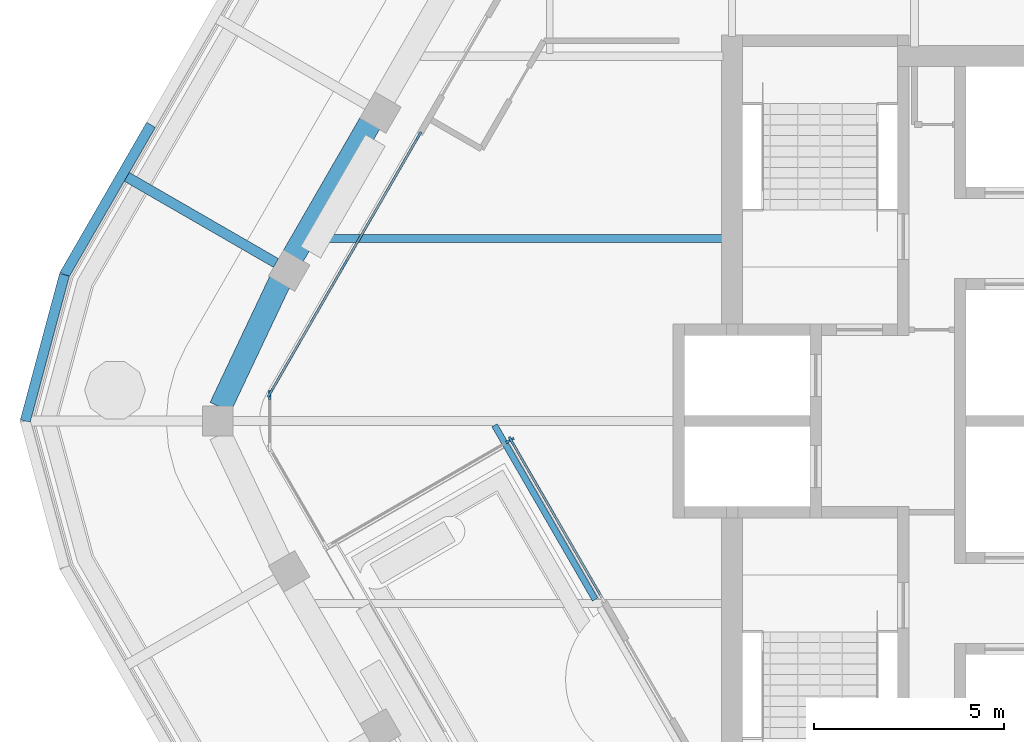
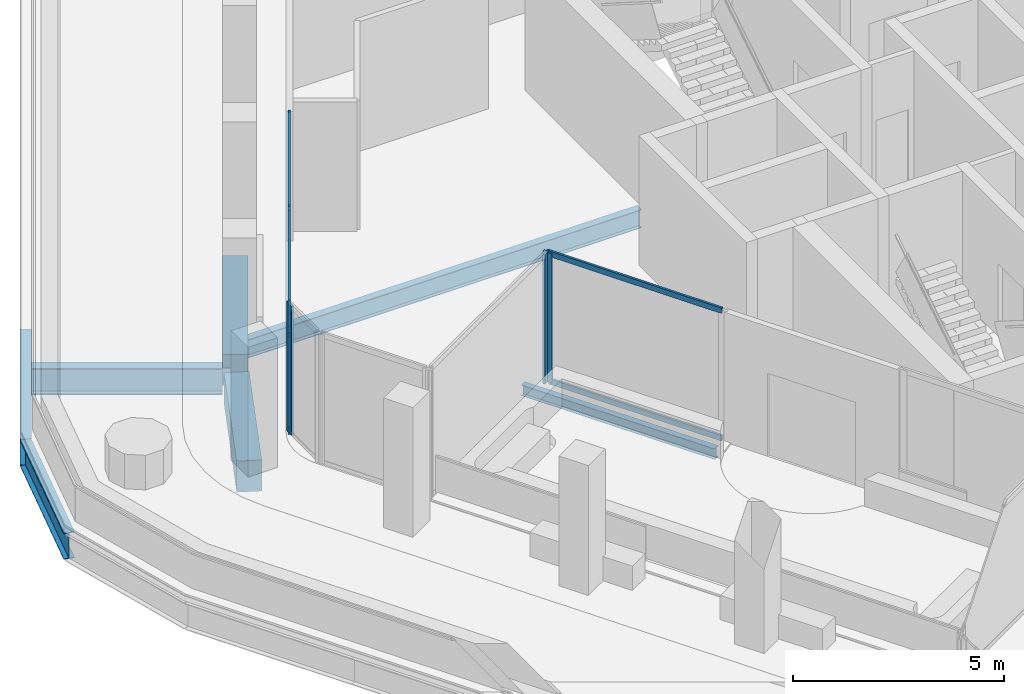
# One storey, part 3 of 15: 12 members, 7 beams, 4 elements without a shape of their own.
"""IFC4 building model written with IfcOpenShell, lengths in metres."""

from ifc_helpers import new_model, si_unit, direction, frame, origin, origin_2d, place, context, subcontext, project, spatial, rectangle, i_section, extrude, material, material_profile, profile_set, type_object, element, aggregate, save


model = new_model("IFC4")

# Units and contexts
model_context = context("Model", 3, precision=1e-05, world=origin(), true_north=direction((0.0, 1.0)))
body_context = subcontext(model_context, "Body", "Model", "MODEL_VIEW")
ifc_project = project(units=[si_unit("LENGTHUNIT", "METRE"), si_unit("AREAUNIT", "SQUARE_METRE"), si_unit("VOLUMEUNIT", "CUBIC_METRE"), si_unit("PLANEANGLEUNIT", "RADIAN"), si_unit("MASSUNIT", "GRAM", prefix="KILO")], contexts=[model_context])

# Site, building, storey
site_placement = place(None, origin())
site = spatial("IfcSite", under=ifc_project, at=site_placement, CompositionType="ELEMENT")
building_placement = place(site_placement, origin())
building = spatial("IfcBuilding", under=site, at=building_placement, Name="Kolab Exchange Tower", CompositionType="ELEMENT")
storey_placement = place(building_placement, frame((0.0, 0.0, 238.39990234375)))
storey = spatial("IfcBuildingStorey", under=building, at=storey_placement, Name="L52", CompositionType="ELEMENT", Elevation=238.39990234375)

# Beams
ifc_material_1 = material(Name="Steel S355", Category="steel")
ifc_material_profile_1 = material_profile(ifc_material_1, i_section(OverallWidth=0.1650390625, OverallDepth=0.31005859375, WebThickness=0.005859375, FlangeThickness=0.009765625, at=origin_2d()), Name="W310X39")
ifc_profile_set_1 = profile_set([ifc_material_profile_1], Name="Steel S355")
beam_type_1 = type_object("IfcBeamType", Name="FLOOR BEAM W310X39", PredefinedType="BEAM", material=ifc_profile_set_1)
beam_1_placement = place(storey_placement, frame((-15.85009765625, -0.114013671875, -0.304931640625), z_axis=(0.499980785011, -0.866036497279, 0.0), x_axis=(0.866036497279, 0.499980785011, 0.0)))
element("IfcBeam", 1, at=beam_1_placement, inside=storey, type_object=beam_type_1, Name="beam/L52/fr/007", PredefinedType="BEAM", context=body_context, shape_type="SweptSolid", body=[
    extrude(i_section(OverallWidth=0.1650390625, OverallDepth=0.31005859375, WebThickness=0.005859375, FlangeThickness=0.009765625, at=origin_2d()), origin(), (0.0, 0.0, 1.0), 5.290283203125),
])
ifc_material_profile_2 = material_profile(ifc_material_1, i_section(OverallWidth=0.208984375, OverallDepth=0.532958984375, WebThickness=0.01025390625, FlangeThickness=0.015625, at=origin_2d()), Name="W530X92")
ifc_profile_set_2 = profile_set([ifc_material_profile_2], Name="Steel S355")
beam_type_2 = type_object("IfcBeamType", Name="FLOOR BEAM W530X92", PredefinedType="BEAM", material=ifc_profile_set_2)
beam_2_placement = place(storey_placement, frame((-20.575927734375, 4.800048828125, -0.41650390625), z_axis=(1.0, 0.0, 0.0), x_axis=(0.0, 1.0, 0.0)))
element("IfcBeam", 2, at=beam_2_placement, inside=storey, type_object=beam_type_2, Name="beam/L52/fr/002", PredefinedType="BEAM", context=body_context, shape_type="SweptSolid", body=[
    extrude(i_section(OverallWidth=0.208984375, OverallDepth=0.532958984375, WebThickness=0.01025390625, FlangeThickness=0.015625, at=origin_2d()), origin(), (0.0, 0.0, 1.0), 10.740966796875),
])
ifc_material_profile_3 = material_profile(ifc_material_1, i_section(OverallWidth=0.26708984375, OverallDepth=0.761962890625, WebThickness=0.014404296875, FlangeThickness=0.021484375, at=origin_2d()), Name="W760X173")
ifc_profile_set_3 = profile_set([ifc_material_profile_3], Name="Steel S355")
beam_type_3 = type_object("IfcBeamType", Name="FLOOR GIRDER W760X173", PredefinedType="BEAM", material=ifc_profile_set_3)
beam_3_placement = place(storey_placement, frame((-21.60009765625, 4.156982421875, -0.5908203125), z_axis=(-0.866030417568, 0.499991315771, 0.0), x_axis=(-0.499991315771, -0.866030417568, 0.0)))
element("IfcBeam", 3, at=beam_3_placement, inside=storey, type_object=beam_type_3, Name="beam/L52/ledge/rib-06", PredefinedType="BEAM", context=body_context, shape_type="SweptSolid", body=[
    extrude(i_section(OverallWidth=0.26708984375, OverallDepth=0.761962890625, WebThickness=0.014404296875, FlangeThickness=0.021484375, at=origin_2d()), origin(), (0.0, 0.0, 1.0), 4.53271484375),
])
beam_4_placement = place(storey_placement, frame((-28.19775390625, 0.0, -0.5908203125), z_axis=(0.258837161991, 0.965920971701, 0.0), x_axis=(-0.965920971701, 0.258837161991, 0.0)))
element("IfcBeam", 4, at=beam_4_placement, inside=storey, type_object=beam_type_3, Name="beam/L52/ledge/edge-07", PredefinedType="BEAM", context=body_context, shape_type="SweptSolid", body=[
    extrude(i_section(OverallWidth=0.26708984375, OverallDepth=0.761962890625, WebThickness=0.014404296875, FlangeThickness=0.021484375, at=origin_2d()), origin(), (0.0, 0.0, 1.0), 3.984130859375),
])
beam_5_placement = place(storey_placement, frame((-27.16650390625, 3.848388671875, -0.5908203125), z_axis=(0.499974680739, 0.866040021373, 0.0), x_axis=(-0.866040021373, 0.499974680739, 0.0)))
element("IfcBeam", 5, at=beam_5_placement, inside=storey, type_object=beam_type_3, Name="beam/L52/ledge/edge-08", PredefinedType="BEAM", context=body_context, shape_type="SweptSolid", body=[
    extrude(i_section(OverallWidth=0.26708984375, OverallDepth=0.761962890625, WebThickness=0.014404296875, FlangeThickness=0.021484375, at=origin_2d()), origin(), (0.0, 0.0, 1.0), 4.552490234375),
])
ifc_material_2 = material(Name="Concrete C50/60", Category="concrete")
ifc_material_profile_4 = material_profile(ifc_material_2, rectangle(XDim=0.60009765625, YDim=0.89990234375, at=origin_2d()), Name="RC600X900")
ifc_profile_set_4 = profile_set([ifc_material_profile_4], Name="Concrete C50/60")
beam_type_4 = type_object("IfcBeamType", Name="SPANDREL BEAM 600X900 C50/60", PredefinedType="BEAM", material=ifc_profile_set_4)
beam_6_placement = place(storey_placement, frame((-23.063720703125, 0.36376953125, -0.599853515625), z_axis=(0.427677251998, 0.903931506323, 0.0), x_axis=(-0.903931506323, 0.427677251998, 0.0)))
element("IfcBeam", 6, at=beam_6_placement, inside=storey, type_object=beam_type_4, Name="beam/L52/sp/F6-01", PredefinedType="BEAM", context=body_context, shape_type="SweptSolid", body=[
    extrude(rectangle(XDim=0.60009765625, YDim=0.89990234375, at=origin_2d()), origin(), (0.0, 0.0, 1.0), 3.6689453125),
])
beam_7_placement = place(storey_placement, frame((-21.16015625, 4.318603515625, -0.599853515625), z_axis=(0.500000428765, 0.866025156237, 0.0), x_axis=(-0.866025156237, 0.500000428765, 0.0)))
element("IfcBeam", 7, at=beam_7_placement, inside=storey, type_object=beam_type_4, Name="beam/L52/sp/F6-02", PredefinedType="BEAM", context=body_context, shape_type="SweptSolid", body=[
    extrude(rectangle(XDim=0.60009765625, YDim=0.89990234375, at=origin_2d()), origin(), (0.0, 0.0, 1.0), 4.080078125),
])

# Curtain wall, member
ifc_material_3 = material(Name="Aluminium EN AW-6063 T6", Category="aluminium")
curtain_wall_type = type_object("IfcCurtainWallType", Name="UNITISED HIGH ZONE CURTAIN WALL", PredefinedType="NOTDEFINED", material=ifc_material_3)
curtain_wall_1_placement = place(storey_placement, origin())
curtain_wall_1 = element("IfcCurtainWall", 8, at=curtain_wall_1_placement, inside=storey, type_object=curtain_wall_type, Name="cw/L52/F5-back-2", PredefinedType="NOTDEFINED")
ifc_material_profile_5 = material_profile(ifc_material_3, rectangle(XDim=0.06005859375, YDim=0.239990234375, at=origin_2d()), Name="RECT 60X240")
ifc_profile_set_5 = profile_set([ifc_material_profile_5], Name="Aluminium EN AW-6063 T6")
member_type_1 = type_object("IfcMemberType", Name="UNITISED HIGH ZONE MULLION 60 X 240", PredefinedType="MULLION", material=ifc_profile_set_5)
member_1_placement = place(storey_placement, frame((-15.406982421875, -0.523681640625, 0.0), z_axis=(0.0, 0.0, 1.0), x_axis=(-0.866025376121, -0.500000047915, 0.0)))
member_1 = element("IfcMember", 9, at=member_1_placement, type_object=member_type_1, Name="CW4 mullion 2", PredefinedType="MULLION", context=body_context, shape_type="SweptSolid", body=[
    extrude(rectangle(XDim=0.06005859375, YDim=0.239990234375, at=origin_2d()), origin(), (0.0, 0.0, 1.0), 3.75),
])

curtain_wall_2_placement = place(storey_placement, origin())
curtain_wall_2 = element("IfcCurtainWall", 10, at=curtain_wall_2_placement, inside=storey, type_object=curtain_wall_type, Name="cw/L52/F5-rr-1", PredefinedType="NOTDEFINED")
member_2_placement = place(storey_placement, frame((-15.447998046875, -0.5126953125, 0.0), z_axis=(0.0, 0.0, 1.0), x_axis=(0.500000020194, -0.866025392126, 0.0)))
member_2 = element("IfcMember", 11, at=member_2_placement, type_object=member_type_1, Name="CW4 mullion 1", PredefinedType="MULLION", context=body_context, shape_type="SweptSolid", body=[
    extrude(rectangle(XDim=0.06005859375, YDim=0.239990234375, at=origin_2d()), origin(), (0.0, 0.0, 1.0), 3.75),
])
aggregate(curtain_wall_2, [member_2])

# Curtain wall, members
curtain_wall_3_placement = place(storey_placement, origin())
curtain_wall_3 = element("IfcCurtainWall", 12, at=curtain_wall_3_placement, inside=storey, type_object=curtain_wall_type, Name="cw/L52/F6-1", PredefinedType="NOTDEFINED")
member_3_placement = place(storey_placement, frame((-21.750732421875, 0.736083984375, 0.0), z_axis=(0.0, 0.0, 1.0), x_axis=(-0.866025440524, 0.499999936366, 0.0)))
member_3 = element("IfcMember", 13, at=member_3_placement, type_object=member_type_1, Name="CW4 mullion 1", PredefinedType="MULLION", context=body_context, shape_type="SweptSolid", body=[
    extrude(rectangle(XDim=0.06005859375, YDim=0.239990234375, at=origin_2d()), origin(), (0.0, 0.0, 1.0), 3.75),
])
member_4_placement = place(storey_placement, frame((-19.798583984375, 4.116943359375, 0.0), z_axis=(0.0, 0.0, 1.0), x_axis=(-0.866025440524, 0.499999936366, 0.0)))
member_4 = element("IfcMember", 14, at=member_4_placement, type_object=member_type_1, Name="CW4 mullion 2", PredefinedType="MULLION", context=body_context, shape_type="SweptSolid", body=[
    extrude(rectangle(XDim=0.06005859375, YDim=0.239990234375, at=origin_2d()), origin(), (0.0, 0.0, 1.0), 3.75),
])
member_5_placement = place(storey_placement, frame((-17.8466796875, 7.497802734375, 0.0), z_axis=(0.0, 0.0, 1.0), x_axis=(-0.866025440524, 0.499999936366, 0.0)))
member_5 = element("IfcMember", 15, at=member_5_placement, type_object=member_type_1, Name="CW4 mullion 3", PredefinedType="MULLION", context=body_context, shape_type="SweptSolid", body=[
    extrude(rectangle(XDim=0.06005859375, YDim=0.239990234375, at=origin_2d()), origin(), (0.0, 0.0, 1.0), 3.75),
])

# Curtain wall, member
curtain_wall_4_placement = place(storey_placement, origin())
curtain_wall_4 = element("IfcCurtainWall", 16, at=curtain_wall_4_placement, inside=storey, type_object=curtain_wall_type, Name="cw/L52/F5F6-corner", PredefinedType="NOTDEFINED")
member_6_placement = place(storey_placement, frame((-21.765625, 0.679931640625, 0.0), z_axis=(0.0, 0.0, 1.0), x_axis=(-1.0, 0.0, 0.0)))
member_6 = element("IfcMember", 17, at=member_6_placement, type_object=member_type_1, Name="CW4 mullion 2", PredefinedType="MULLION", context=body_context, shape_type="SweptSolid", body=[
    extrude(rectangle(XDim=0.06005859375, YDim=0.239990234375, at=origin_2d()), origin(), (0.0, 0.0, 1.0), 3.75),
])
aggregate(curtain_wall_4, [member_6])

# Member
ifc_material_profile_6 = material_profile(ifc_material_3, rectangle(XDim=0.06005859375, YDim=0.159912109375, at=origin_2d()), Name="RECT 60X160")
ifc_profile_set_6 = profile_set([ifc_material_profile_6], Name="Aluminium EN AW-6063 T6")
member_type_2 = type_object("IfcMemberType", Name="UNITISED HIGH ZONE TRANSOM 60 X 160", PredefinedType="USERDEFINED", material=ifc_profile_set_6)
member_7_placement = place(storey_placement, frame((-13.025390625, -4.648681640625, 0.030029296875), z_axis=(-0.499972493535, 0.866041284067, 0.0), x_axis=(-0.866041284067, -0.499972493535, 0.0)))
member_7 = element("IfcMember", 18, at=member_7_placement, type_object=member_type_2, Name="CW4 transom 1.1", ObjectType="TRANSOM", PredefinedType="USERDEFINED", context=body_context, shape_type="SweptSolid", body=[
    extrude(rectangle(XDim=0.06005859375, YDim=0.159912109375, at=origin_2d()), origin(), (0.0, 0.0, 1.0), 4.733154296875),
])

member_8_placement = place(storey_placement, frame((-13.025390625, -4.648681640625, 3.72021484375), z_axis=(-0.499972493535, 0.866041284067, 0.0), x_axis=(-0.866041284067, -0.499972493535, 0.0)))
member_8 = element("IfcMember", 19, at=member_8_placement, type_object=member_type_2, Name="CW4 transom 1.2", ObjectType="TRANSOM", PredefinedType="USERDEFINED", context=body_context, shape_type="SweptSolid", body=[
    extrude(rectangle(XDim=0.06005859375, YDim=0.159912109375, at=origin_2d()), origin(), (0.0, 0.0, 1.0), 4.733154296875),
])

aggregate(curtain_wall_1, [member_1, member_7, member_8])

member_9_placement = place(storey_placement, frame((-21.735595703125, 0.761962890625, 0.030029296875), z_axis=(0.499991857942, 0.866030104553, 0.0), x_axis=(-0.866030104553, 0.499991857942, 0.0)))
member_9 = element("IfcMember", 20, at=member_9_placement, type_object=member_type_2, Name="CW4 transom 1.1", ObjectType="TRANSOM", PredefinedType="USERDEFINED", context=body_context, shape_type="SweptSolid", body=[
    extrude(rectangle(XDim=0.06005859375, YDim=0.159912109375, at=origin_2d()), origin(), (0.0, 0.0, 1.0), 3.84375),
])

member_10_placement = place(storey_placement, frame((-21.735595703125, 0.761962890625, 3.72021484375), z_axis=(0.499991857942, 0.866030104553, 0.0), x_axis=(-0.866030104553, 0.499991857942, 0.0)))
member_10 = element("IfcMember", 21, at=member_10_placement, type_object=member_type_2, Name="CW4 transom 1.2", ObjectType="TRANSOM", PredefinedType="USERDEFINED", context=body_context, shape_type="SweptSolid", body=[
    extrude(rectangle(XDim=0.06005859375, YDim=0.159912109375, at=origin_2d()), origin(), (0.0, 0.0, 1.0), 3.84375),
])

member_11_placement = place(storey_placement, frame((-19.78369140625, 4.142822265625, 0.030029296875), z_axis=(0.500011990396, 0.866018481016, 0.0), x_axis=(-0.866018481016, 0.500011990396, 0.0)))
member_11 = element("IfcMember", 22, at=member_11_placement, type_object=member_type_2, Name="CW4 transom 2.1", ObjectType="TRANSOM", PredefinedType="USERDEFINED", context=body_context, shape_type="SweptSolid", body=[
    extrude(rectangle(XDim=0.06005859375, YDim=0.159912109375, at=origin_2d()), origin(), (0.0, 0.0, 1.0), 3.84423828125),
])

member_12_placement = place(storey_placement, frame((-19.78369140625, 4.142822265625, 3.72021484375), z_axis=(0.500011990396, 0.866018481016, 0.0), x_axis=(-0.866018481016, 0.500011990396, 0.0)))
member_12 = element("IfcMember", 23, at=member_12_placement, type_object=member_type_2, Name="CW4 transom 2.2", ObjectType="TRANSOM", PredefinedType="USERDEFINED", context=body_context, shape_type="SweptSolid", body=[
    extrude(rectangle(XDim=0.06005859375, YDim=0.159912109375, at=origin_2d()), origin(), (0.0, 0.0, 1.0), 3.84423828125),
])

aggregate(curtain_wall_3, [member_3, member_4, member_5, member_9, member_10, member_11, member_12])

save(model, "model.ifc")
